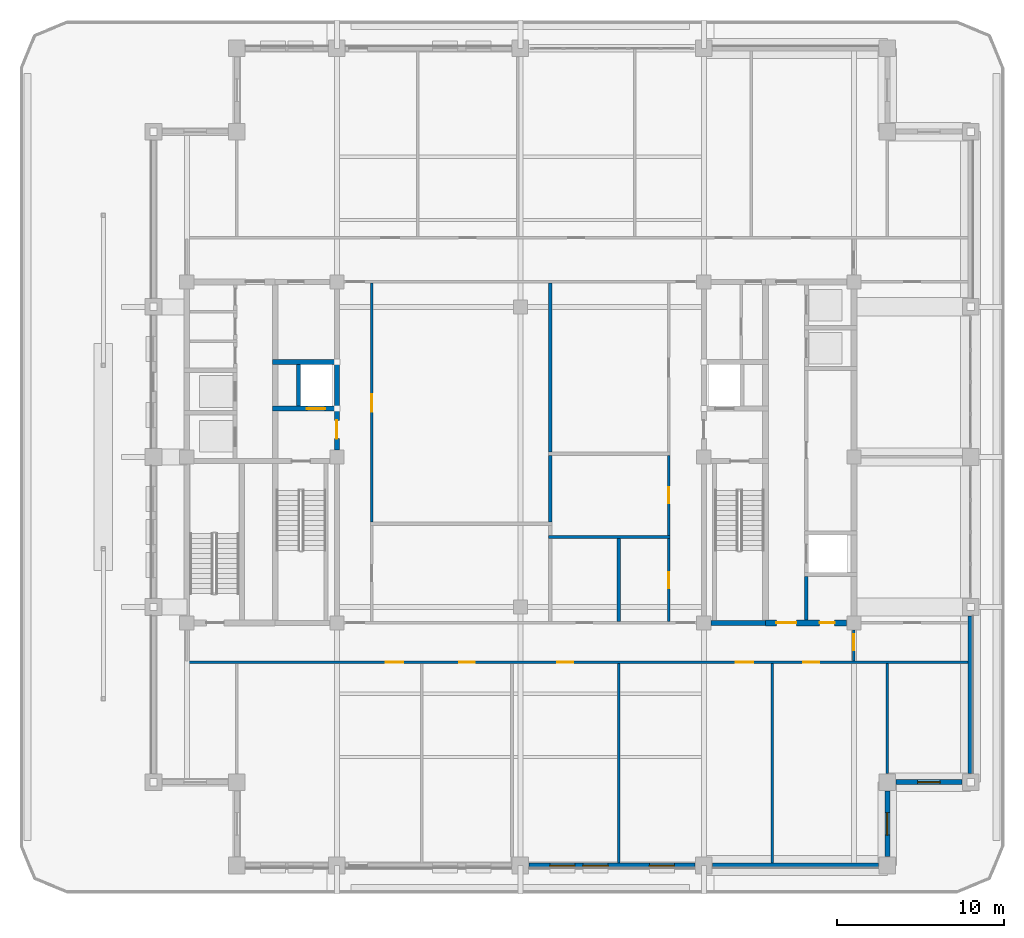
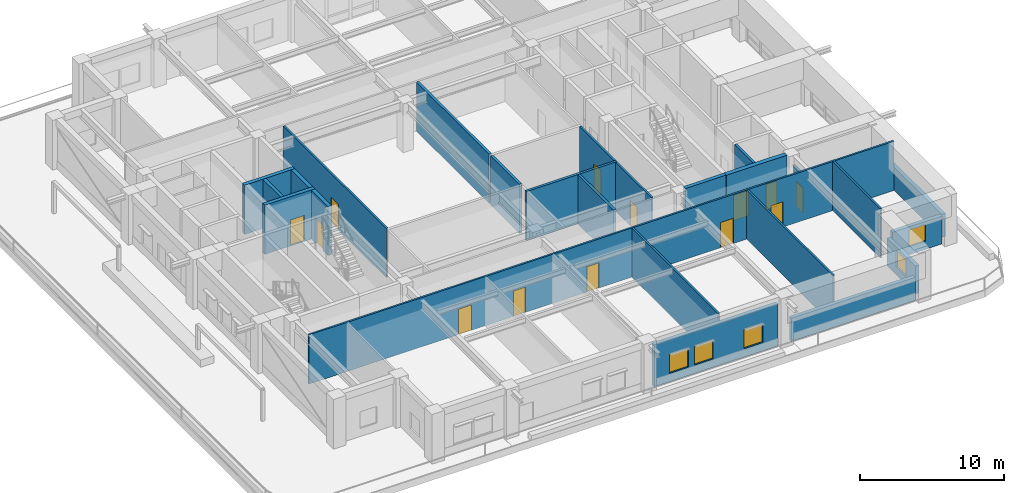
# One storey, part 9 of 20: 25 walls, 13 doors, 5 windows, 18 openings.
"""IFC4 building model written with IfcOpenShell, lengths in metres."""

from ifc_helpers import new_model, si_unit, direction, frame, frame_2d, origin, place, context, subcontext, project, spatial, rectangle, extrude, material, layer, layer_set, type_object, element, fill, save


model = new_model("IFC4")

# Units and contexts
model_context = context("Model", 3, precision=1e-05, world=origin(), true_north=direction((0.0, 1.0)))
body_context = subcontext(model_context, "Body", "Model", "MODEL_VIEW")
ifc_project = project(units=[si_unit("LENGTHUNIT", "METRE"), si_unit("AREAUNIT", "SQUARE_METRE"), si_unit("VOLUMEUNIT", "CUBIC_METRE"), si_unit("PLANEANGLEUNIT", "RADIAN"), si_unit("MASSUNIT", "GRAM", prefix="KILO")], contexts=[model_context])

# Site, building, storey
site_placement = place(None, origin())
site = spatial("IfcSite", under=ifc_project, at=site_placement, CompositionType="ELEMENT")
building_placement = place(site_placement, origin())
building = spatial("IfcBuilding", under=site, at=building_placement, Name="Zulmaris Gate Convention Tower", CompositionType="ELEMENT")
storey_placement = place(building_placement, frame((0.0, 0.0, 158.23974609375)))
storey = spatial("IfcBuildingStorey", under=building, at=storey_placement, Name="L40", CompositionType="ELEMENT", Elevation=158.23974609375)

# Walls
ifc_material_1 = material(Name="Concrete C50/60", Category="concrete")
ifc_layer_1 = layer(ifc_material_1, 0.25, Name="Concrete C50/60")
ifc_layer_set_1 = layer_set([ifc_layer_1], Name="Concrete C50/60")
wall_type_1 = type_object("IfcWallType", Name="CORE-250", PredefinedType="SOLIDWALL", material=ifc_layer_set_1)
wall_1_placement = place(storey_placement, frame((-13.300048828125, 3.052001953125, 0.0), z_axis=(0.0, 0.0, 1.0), x_axis=(0.0, 1.0, 0.0)))
element("IfcWall", 1, at=wall_1_placement, inside=storey, type_object=wall_type_1, Name="WL-L40-044", PredefinedType="SOLIDWALL", context=body_context, shape_type="SweptSolid", body=[
    extrude(rectangle(XDim=2.49609375, YDim=0.25, at=frame_2d((1.248046875, 0.0))), origin(), (0.0, 0.0, 1.0), 4.170166015625),
])
ifc_layer_2 = layer(ifc_material_1, 0.300048828125, Name="Concrete C50/60")
ifc_layer_set_2 = layer_set([ifc_layer_2], Name="Concrete C50/60")
wall_type_2 = type_object("IfcWallType", Name="CORE-300", PredefinedType="SHEAR", material=ifc_layer_set_2)
wall_2_placement = place(storey_placement, frame((11.428955078125, -9.949951171875, 0.0), z_axis=(0.0, 0.0, 1.0), x_axis=(1.0, 0.0, 0.0)))
element("IfcWall", 2, at=wall_2_placement, inside=storey, type_object=wall_type_2, Name="WL-L40-003", PredefinedType="SHEAR", context=body_context, shape_type="SweptSolid", body=[
    extrude(rectangle(XDim=3.27099609375, YDim=0.300048828125, at=frame_2d((1.635498046875, 0.0))), origin(), (0.0, 0.0, 1.0), 4.170166015625),
])

# Wall, opening, door
wall_3_placement = place(storey_placement, frame((-14.875, 2.89990234375, 0.0), z_axis=(0.0, 0.0, 1.0), x_axis=(1.0, 0.0, 0.0)))
wall_3 = element("IfcWall", 3, at=wall_3_placement, inside=storey, type_object=wall_type_2, Name="WL-L40-010", PredefinedType="SHEAR", context=body_context, shape_type="SweptSolid", body=[
    extrude(rectangle(XDim=4.02490234375, YDim=0.300048828125, at=frame_2d((2.012451171875, 0.0))), origin(), (0.0, 0.0, 1.0), 4.170166015625),
])
opening_1_placement = place(wall_3_placement, frame((2.074951171875, 0.0, 0.0)))
opening_1 = element("IfcOpeningElement", 4, at=opening_1_placement, cuts=wall_3, Name="Opening D-06", PredefinedType="OPENING", context=body_context, shape_type="SweptSolid", body=[
    extrude(rectangle(XDim=1.10009765625, YDim=2.199951171875, at=frame_2d((0.550048828125, 1.10009765625))), frame((0.0, 0.16015625, 0.0), z_axis=(0.0, -1.0, 0.0), x_axis=(1.0, 0.0, 0.0)), (0.0, 0.0, 1.0), 0.320068359375),
])
ifc_material_2 = material(Name="Brushed Stainless Steel", Category="steel")
door_type_1 = type_object("IfcDoorType", Name="LD-1100", OperationType="NOTDEFINED", PredefinedType="DOOR", material=ifc_material_2)
door_1_placement = place(opening_1_placement, origin())
door_1 = element("IfcDoor", 5, at=door_1_placement, inside=storey, type_object=door_type_1, Name="L40 Lift Landing Door LF-01 03", OperationType="SLIDING_TO_LEFT", OverallHeight=2.199951171875, OverallWidth=1.10009765625, PredefinedType="DOOR", context=body_context, shape_type="SweptSolid", body=[
    extrude(rectangle(XDim=1.10009765625, YDim=2.199951171875, at=frame_2d((0.550048828125, 1.10009765625))), frame((0.0, 0.02490234375, 0.0), z_axis=(0.0, -1.0, 0.0), x_axis=(1.0, 0.0, 0.0)), (0.0, 0.0, 1.0), 0.050048828125),
])
fill(opening_1, door_1)

# Wall
wall_4_placement = place(storey_placement, frame((-14.875, 5.699951171875, 0.0), z_axis=(0.0, 0.0, 1.0), x_axis=(1.0, 0.0, 0.0)))
element("IfcWall", 6, at=wall_4_placement, inside=storey, type_object=wall_type_2, Name="WL-L40-014", PredefinedType="SHEAR", context=body_context, shape_type="SweptSolid", body=[
    extrude(rectangle(XDim=4.02490234375, YDim=0.300048828125, at=frame_2d((2.012451171875, 0.0))), origin(), (0.0, 0.0, 1.0), 4.170166015625),
])

# Wall, opening, door
wall_5_placement = place(storey_placement, frame((-11.0, 0.428955078125, 0.0), z_axis=(0.0, 0.0, 1.0), x_axis=(0.0, 1.0, 0.0)))
wall_5 = element("IfcWall", 7, at=wall_5_placement, inside=storey, type_object=wall_type_2, Name="WL-L40-047", PredefinedType="SHEAR", context=body_context, shape_type="SweptSolid", body=[
    extrude(rectangle(XDim=2.319091796875, YDim=0.300048828125, at=frame_2d((1.15966796875, 0.0))), origin(), (0.0, 0.0, 1.0), 4.170166015625),
])
opening_2_placement = place(wall_5_placement, frame((0.6708984375, 0.0, 0.0)))
opening_2 = element("IfcOpeningElement", 8, at=opening_2_placement, cuts=wall_5, Name="Opening D-08", PredefinedType="OPENING", context=body_context, shape_type="SweptSolid", body=[
    extrude(rectangle(XDim=1.10009765625, YDim=2.14990234375, at=frame_2d((0.550048828125, 1.074951171875))), frame((0.0, 0.16015625, 0.0), z_axis=(0.0, -1.0, 0.0), x_axis=(1.0, 0.0, 0.0)), (0.0, 0.0, 1.0), 0.320068359375),
])
ifc_material_3 = material(Name="Fire-Rated Steel", Category="steel")
door_type_2 = type_object("IfcDoorType", Name="DR-1100-FD", OperationType="NOTDEFINED", PredefinedType="DOOR", material=ifc_material_3)
door_2_placement = place(opening_2_placement, origin())
door_2 = element("IfcDoor", 9, at=door_2_placement, inside=storey, type_object=door_type_2, Name="L40 West Firefighting Lobby Door 02", OperationType="SINGLE_SWING_LEFT", OverallHeight=2.14990234375, OverallWidth=1.10009765625, PredefinedType="DOOR", context=body_context, shape_type="SweptSolid", body=[
    extrude(rectangle(XDim=1.10009765625, YDim=2.14990234375, at=frame_2d((0.550048828125, 1.074951171875))), frame((0.0, 0.02490234375, 0.0), z_axis=(0.0, -1.0, 0.0), x_axis=(1.0, 0.0, 0.0)), (0.0, 0.0, 1.0), 0.050048828125),
])
fill(opening_2, door_2)

# Wall
wall_6_placement = place(storey_placement, frame((-11.0, 3.052001953125, 0.0), z_axis=(0.0, 0.0, 1.0), x_axis=(0.0, 1.0, 0.0)))
element("IfcWall", 10, at=wall_6_placement, inside=storey, type_object=wall_type_2, Name="WL-L40-048", PredefinedType="SHEAR", context=body_context, shape_type="SweptSolid", body=[
    extrude(rectangle(XDim=2.49609375, YDim=0.300048828125, at=frame_2d((1.248046875, 0.0))), origin(), (0.0, 0.0, 1.0), 4.170166015625),
])

# Wall, openings, doors
ifc_material_4 = material(Name="Concrete C55/67", Category="concrete")
ifc_layer_3 = layer(ifc_material_4, 0.35009765625, Name="Concrete C55/67")
ifc_layer_set_3 = layer_set([ifc_layer_3], Name="Concrete C55/67")
wall_type_3 = type_object("IfcWallType", Name="CORE-350", PredefinedType="SHEAR", material=ifc_layer_set_3)
wall_7_placement = place(storey_placement, frame((14.699951171875, -9.949951171875, 0.0), z_axis=(0.0, 0.0, 1.0), x_axis=(1.0, 0.0, 0.0)))
wall_7 = element("IfcWall", 11, at=wall_7_placement, inside=storey, type_object=wall_type_3, Name="WL-L40-004", PredefinedType="SHEAR", context=body_context, shape_type="SweptSolid", body=[
    extrude(rectangle(XDim=4.87109375, YDim=0.35009765625, at=frame_2d((2.435546875, 0.0))), origin(), (0.0, 0.0, 1.0), 4.170166015625),
])
opening_3_placement = place(wall_7_placement, frame((0.64990234375, 0.0, 0.0)))
opening_3 = element("IfcOpeningElement", 12, at=opening_3_placement, cuts=wall_7, Name="Opening D-13", PredefinedType="OPENING", context=body_context, shape_type="SweptSolid", body=[
    extrude(rectangle(XDim=1.199951171875, YDim=2.14990234375, at=frame_2d((0.60009765625, 1.074951171875))), frame((0.0, 0.18505859375, 0.0), z_axis=(0.0, -1.0, 0.0), x_axis=(1.0, 0.0, 0.0)), (0.0, 0.0, 1.0), 0.3701171875),
])
opening_4_placement = place(wall_7_placement, frame((3.25, 0.0, 0.0)))
opening_4 = element("IfcOpeningElement", 13, at=opening_4_placement, cuts=wall_7, Name="Opening D-12", PredefinedType="OPENING", context=body_context, shape_type="SweptSolid", body=[
    extrude(rectangle(XDim=0.89990234375, YDim=2.14990234375, at=frame_2d((0.449951171875, 1.074951171875))), frame((0.0, 0.18505859375, 0.0), z_axis=(0.0, -1.0, 0.0), x_axis=(1.0, 0.0, 0.0)), (0.0, 0.0, 1.0), 0.3701171875),
])
door_type_3 = type_object("IfcDoorType", Name="DR-1200-FD", OperationType="NOTDEFINED", PredefinedType="DOOR", material=ifc_material_3)
door_3_placement = place(opening_3_placement, origin())
door_3 = element("IfcDoor", 14, at=door_3_placement, inside=storey, type_object=door_type_3, Name="L40 Sky-Lobby East South Door 20", OperationType="SINGLE_SWING_RIGHT", OverallHeight=2.14990234375, OverallWidth=1.199951171875, PredefinedType="DOOR", context=body_context, shape_type="SweptSolid", body=[
    extrude(rectangle(XDim=1.199951171875, YDim=2.14990234375, at=frame_2d((0.60009765625, 1.074951171875))), frame((0.0, 0.02490234375, 0.0), z_axis=(0.0, -1.0, 0.0), x_axis=(1.0, 0.0, 0.0)), (0.0, 0.0, 1.0), 0.050048828125),
])
fill(opening_3, door_3)
ifc_material_5 = material(Name="Fire-Rated Timber", Category="wood")
door_type_4 = type_object("IfcDoorType", Name="DR-900-FD", OperationType="NOTDEFINED", PredefinedType="DOOR", material=ifc_material_5)
door_4_placement = place(opening_4_placement, origin())
door_4 = element("IfcDoor", 15, at=door_4_placement, inside=storey, type_object=door_type_4, Name="L40 Chair Store Door 23", OperationType="SINGLE_SWING_LEFT", OverallHeight=2.14990234375, OverallWidth=0.89990234375, PredefinedType="DOOR", context=body_context, shape_type="SweptSolid", body=[
    extrude(rectangle(XDim=0.89990234375, YDim=2.14990234375, at=frame_2d((0.449951171875, 1.074951171875))), frame((0.0, 0.02490234375, 0.0), z_axis=(0.0, -1.0, 0.0), x_axis=(1.0, 0.0, 0.0)), (0.0, 0.0, 1.0), 0.050048828125),
])
fill(opening_4, door_4)

ifc_material_6 = material(Name="Gypsum Metal Stud Partition")
ifc_layer_4 = layer(ifc_material_6, 0.14990234375, Name="Gypsum Metal Stud Partition")
ifc_layer_set_4 = layer_set([ifc_layer_4], Name="Gypsum Metal Stud Partition")
wall_type_4 = type_object("IfcWallType", Name="PART-150", PredefinedType="PARTITIONING", material=ifc_layer_set_4)
wall_8_placement = place(storey_placement, frame((-20.074951171875, -12.300048828125, 0.0), z_axis=(0.0, 0.0, 1.0), x_axis=(1.0, 0.0, 0.0)))
wall_8 = element("IfcWall", 16, at=wall_8_placement, inside=storey, type_object=wall_type_4, Name="WL-L40-021", PredefinedType="PARTITIONING", context=body_context, shape_type="SweptSolid", body=[
    extrude(rectangle(XDim=46.909912109375, YDim=0.14990234375, at=frame_2d((23.455078125, 0.0))), origin(), (0.0, 0.0, 1.0), 4.170166015625),
])
opening_5_placement = place(wall_8_placement, frame((12.0, 0.0, 0.0)))
opening_5 = element("IfcOpeningElement", 17, at=opening_5_placement, cuts=wall_8, Name="Opening D-09", PredefinedType="OPENING", context=body_context, shape_type="SweptSolid", body=[
    extrude(rectangle(XDim=1.050048828125, YDim=2.14990234375, at=frame_2d((0.52490234375, 1.074951171875))), frame((0.0, 0.0849609375, 0.0), z_axis=(0.0, -1.0, 0.0), x_axis=(1.0, 0.0, 0.0)), (0.0, 0.0, 1.0), 0.169921875),
])
opening_6_placement = place(wall_8_placement, frame((16.39990234375, 0.0, 0.0)))
opening_6 = element("IfcOpeningElement", 18, at=opening_6_placement, cuts=wall_8, Name="Opening D-11", PredefinedType="OPENING", context=body_context, shape_type="SweptSolid", body=[
    extrude(rectangle(XDim=0.949951171875, YDim=2.14990234375, at=frame_2d((0.47509765625, 1.074951171875))), frame((0.0, 0.0849609375, 0.0), z_axis=(0.0, -1.0, 0.0), x_axis=(1.0, 0.0, 0.0)), (0.0, 0.0, 1.0), 0.169921875),
])
opening_7_placement = place(wall_8_placement, frame((22.300048828125, 0.0, 0.0)))
opening_7 = element("IfcOpeningElement", 19, at=opening_7_placement, cuts=wall_8, Name="Opening D-11", PredefinedType="OPENING", context=body_context, shape_type="SweptSolid", body=[
    extrude(rectangle(XDim=0.949951171875, YDim=2.14990234375, at=frame_2d((0.47509765625, 1.074951171875))), frame((0.0, 0.0849609375, 0.0), z_axis=(0.0, -1.0, 0.0), x_axis=(1.0, 0.0, 0.0)), (0.0, 0.0, 1.0), 0.169921875),
])
opening_8_placement = place(wall_8_placement, frame((33.0, 0.0, 0.0)))
opening_8 = element("IfcOpeningElement", 20, at=opening_8_placement, cuts=wall_8, Name="Opening D-09", PredefinedType="OPENING", context=body_context, shape_type="SweptSolid", body=[
    extrude(rectangle(XDim=1.050048828125, YDim=2.14990234375, at=frame_2d((0.52490234375, 1.074951171875))), frame((0.0, 0.0849609375, 0.0), z_axis=(0.0, -1.0, 0.0), x_axis=(1.0, 0.0, 0.0)), (0.0, 0.0, 1.0), 0.169921875),
])
opening_9_placement = place(wall_8_placement, frame((37.050048828125, 0.0, 0.0)))
opening_9 = element("IfcOpeningElement", 21, at=opening_9_placement, cuts=wall_8, Name="Opening D-11", PredefinedType="OPENING", context=body_context, shape_type="SweptSolid", body=[
    extrude(rectangle(XDim=0.949951171875, YDim=2.14990234375, at=frame_2d((0.47509765625, 1.074951171875))), frame((0.0, 0.0849609375, 0.0), z_axis=(0.0, -1.0, 0.0), x_axis=(1.0, 0.0, 0.0)), (0.0, 0.0, 1.0), 0.169921875),
])
door_type_5 = type_object("IfcDoorType", Name="DR-1050-FD", OperationType="NOTDEFINED", PredefinedType="DOOR", material=ifc_material_3)
door_5_placement = place(opening_5_placement, origin())
door_5 = element("IfcDoor", 22, at=door_5_placement, inside=storey, type_object=door_type_5, Name="L40 Research Reading Room Door 33", OperationType="SINGLE_SWING_LEFT", OverallHeight=2.14990234375, OverallWidth=1.050048828125, PredefinedType="DOOR", context=body_context, shape_type="SweptSolid", body=[
    extrude(rectangle(XDim=1.050048828125, YDim=2.14990234375, at=frame_2d((0.52490234375, 1.074951171875))), frame((0.0, 0.02490234375, 0.0), z_axis=(0.0, -1.0, 0.0), x_axis=(1.0, 0.0, 0.0)), (0.0, 0.0, 1.0), 0.050048828125),
])
fill(opening_5, door_5)
door_6_placement = place(opening_8_placement, origin())
door_6 = element("IfcDoor", 23, at=door_6_placement, inside=storey, type_object=door_type_5, Name="L40 Editorial Focus Suite Door 36", OperationType="SINGLE_SWING_RIGHT", OverallHeight=2.14990234375, OverallWidth=1.050048828125, PredefinedType="DOOR", context=body_context, shape_type="SweptSolid", body=[
    extrude(rectangle(XDim=1.050048828125, YDim=2.14990234375, at=frame_2d((0.52490234375, 1.074951171875))), frame((0.0, 0.02490234375, 0.0), z_axis=(0.0, -1.0, 0.0), x_axis=(1.0, 0.0, 0.0)), (0.0, 0.0, 1.0), 0.050048828125),
])
fill(opening_8, door_6)
door_type_6 = type_object("IfcDoorType", Name="DR-950-FD", OperationType="NOTDEFINED", PredefinedType="DOOR", material=ifc_material_5)
door_7_placement = place(opening_6_placement, origin())
door_7 = element("IfcDoor", 24, at=door_7_placement, inside=storey, type_object=door_type_6, Name="L40 Quiet Focus Study Door 34", OperationType="SINGLE_SWING_RIGHT", OverallHeight=2.14990234375, OverallWidth=0.949951171875, PredefinedType="DOOR", context=body_context, shape_type="SweptSolid", body=[
    extrude(rectangle(XDim=0.949951171875, YDim=2.14990234375, at=frame_2d((0.47509765625, 1.074951171875))), frame((0.0, 0.02490234375, 0.0), z_axis=(0.0, -1.0, 0.0), x_axis=(1.0, 0.0, 0.0)), (0.0, 0.0, 1.0), 0.050048828125),
])
fill(opening_6, door_7)
door_8_placement = place(opening_7_placement, origin())
door_8 = element("IfcDoor", 25, at=door_8_placement, inside=storey, type_object=door_type_6, Name="L40 Legal Library Room Door 35", OperationType="SINGLE_SWING_LEFT", OverallHeight=2.14990234375, OverallWidth=0.949951171875, PredefinedType="DOOR", context=body_context, shape_type="SweptSolid", body=[
    extrude(rectangle(XDim=0.949951171875, YDim=2.14990234375, at=frame_2d((0.47509765625, 1.074951171875))), frame((0.0, 0.02490234375, 0.0), z_axis=(0.0, -1.0, 0.0), x_axis=(1.0, 0.0, 0.0)), (0.0, 0.0, 1.0), 0.050048828125),
])
fill(opening_7, door_8)
door_9_placement = place(opening_9_placement, origin())
door_9 = element("IfcDoor", 26, at=door_9_placement, inside=storey, type_object=door_type_6, Name="L40 Research Reading Room Door 37", OperationType="SINGLE_SWING_LEFT", OverallHeight=2.14990234375, OverallWidth=0.949951171875, PredefinedType="DOOR", context=body_context, shape_type="SweptSolid", body=[
    extrude(rectangle(XDim=0.949951171875, YDim=2.14990234375, at=frame_2d((0.47509765625, 1.074951171875))), frame((0.0, 0.02490234375, 0.0), z_axis=(0.0, -1.0, 0.0), x_axis=(1.0, 0.0, 0.0)), (0.0, 0.0, 1.0), 0.050048828125),
])
fill(opening_9, door_9)

# Wall, opening, door
wall_9_placement = place(storey_placement, frame((-8.89990234375, -3.89697265625, 0.0), z_axis=(0.0, 0.0, 1.0), x_axis=(0.0, 1.0, 0.0)))
wall_9 = element("IfcWall", 27, at=wall_9_placement, inside=storey, type_object=wall_type_4, Name="WL-L40-076", PredefinedType="PARTITIONING", context=body_context, shape_type="SweptSolid", body=[
    extrude(rectangle(XDim=14.319091796875, YDim=0.14990234375, at=frame_2d((7.15966796875, 0.0))), origin(), (0.0, 0.0, 1.0), 4.170166015625),
])
opening_10_placement = place(wall_9_placement, frame((6.6220703125, 0.0, 0.0)))
opening_10 = element("IfcOpeningElement", 28, at=opening_10_placement, cuts=wall_9, Name="Opening D-09", PredefinedType="OPENING", context=body_context, shape_type="SweptSolid", body=[
    extrude(rectangle(XDim=1.050048828125, YDim=2.14990234375, at=frame_2d((0.52490234375, 1.074951171875))), frame((0.0, 0.0849609375, 0.0), z_axis=(0.0, -1.0, 0.0), x_axis=(1.0, 0.0, 0.0)), (0.0, 0.0, 1.0), 0.169921875),
])
door_10_placement = place(opening_10_placement, origin())
door_10 = element("IfcDoor", 29, at=door_10_placement, inside=storey, type_object=door_type_5, Name="L40 Boardroom Door 38", OperationType="SINGLE_SWING_RIGHT", OverallHeight=2.14990234375, OverallWidth=1.050048828125, PredefinedType="DOOR", context=body_context, shape_type="SweptSolid", body=[
    extrude(rectangle(XDim=1.050048828125, YDim=2.14990234375, at=frame_2d((0.52490234375, 1.074951171875))), frame((0.0, 0.02490234375, 0.0), z_axis=(0.0, -1.0, 0.0), x_axis=(1.0, 0.0, 0.0)), (0.0, 0.0, 1.0), 0.050048828125),
])
fill(opening_10, door_10)

# Wall
wall_10_placement = place(storey_placement, frame((5.89990234375, -24.3349609375, 0.0), z_axis=(0.0, 0.0, 1.0), x_axis=(0.0, 1.0, 0.0)))
element("IfcWall", 30, at=wall_10_placement, inside=storey, type_object=wall_type_4, Name="WL-L40-085", PredefinedType="PARTITIONING", context=body_context, shape_type="SweptSolid", body=[
    extrude(rectangle(XDim=11.95703125, YDim=0.14990234375, at=frame_2d((5.978515625, 0.0))), origin(), (0.0, 0.0, 1.0), 4.170166015625),
])

# Wall, opening, door
wall_11_placement = place(storey_placement, frame((8.89990234375, -9.8720703125, 0.0), z_axis=(0.0, 0.0, 1.0), x_axis=(0.0, 1.0, 0.0)))
wall_11 = element("IfcWall", 31, at=wall_11_placement, inside=storey, type_object=wall_type_4, Name="WL-L40-088", PredefinedType="PARTITIONING", context=body_context, shape_type="SweptSolid", body=[
    extrude(rectangle(XDim=4.968994140625, YDim=0.14990234375, at=frame_2d((2.484375, 0.0))), origin(), (0.0, 0.0, 1.0), 4.170166015625),
])
opening_11_placement = place(wall_11_placement, frame((1.9970703125, 0.0, 0.0)))
opening_11 = element("IfcOpeningElement", 32, at=opening_11_placement, cuts=wall_11, Name="Opening D-11", PredefinedType="OPENING", context=body_context, shape_type="SweptSolid", body=[
    extrude(rectangle(XDim=0.949951171875, YDim=2.14990234375, at=frame_2d((0.47509765625, 1.074951171875))), frame((0.0, 0.0849609375, 0.0), z_axis=(0.0, -1.0, 0.0), x_axis=(1.0, 0.0, 0.0)), (0.0, 0.0, 1.0), 0.169921875),
])
door_11_placement = place(opening_11_placement, origin())
door_11 = element("IfcDoor", 33, at=door_11_placement, inside=storey, type_object=door_type_6, Name="L40 Accessible WC Door 42", OperationType="SINGLE_SWING_RIGHT", OverallHeight=2.14990234375, OverallWidth=0.949951171875, PredefinedType="DOOR", context=body_context, shape_type="SweptSolid", body=[
    extrude(rectangle(XDim=0.949951171875, YDim=2.14990234375, at=frame_2d((0.47509765625, 1.074951171875))), frame((0.0, 0.02490234375, 0.0), z_axis=(0.0, -1.0, 0.0), x_axis=(1.0, 0.0, 0.0)), (0.0, 0.0, 1.0), 0.050048828125),
])
fill(opening_11, door_11)

wall_12_placement = place(storey_placement, frame((8.89990234375, -4.697021484375, 0.0), z_axis=(0.0, 0.0, 1.0), x_axis=(0.0, 1.0, 0.0)))
wall_12 = element("IfcWall", 34, at=wall_12_placement, inside=storey, type_object=wall_type_4, Name="WL-L40-089", PredefinedType="PARTITIONING", context=body_context, shape_type="SweptSolid", body=[
    extrude(rectangle(XDim=4.7939453125, YDim=0.14990234375, at=frame_2d((2.39697265625, 0.0))), origin(), (0.0, 0.0, 1.0), 4.170166015625),
])
opening_12_placement = place(wall_12_placement, frame((1.922119140625, 0.0, 0.0)))
opening_12 = element("IfcOpeningElement", 35, at=opening_12_placement, cuts=wall_12, Name="Opening D-11", PredefinedType="OPENING", context=body_context, shape_type="SweptSolid", body=[
    extrude(rectangle(XDim=0.949951171875, YDim=2.14990234375, at=frame_2d((0.47509765625, 1.074951171875))), frame((0.0, 0.0849609375, 0.0), z_axis=(0.0, -1.0, 0.0), x_axis=(1.0, 0.0, 0.0)), (0.0, 0.0, 1.0), 0.169921875),
])
door_12_placement = place(opening_12_placement, origin())
door_12 = element("IfcDoor", 36, at=door_12_placement, inside=storey, type_object=door_type_6, Name="L40 Public WC Door 41", OperationType="SINGLE_SWING_LEFT", OverallHeight=2.14990234375, OverallWidth=0.949951171875, PredefinedType="DOOR", context=body_context, shape_type="SweptSolid", body=[
    extrude(rectangle(XDim=0.949951171875, YDim=2.14990234375, at=frame_2d((0.47509765625, 1.074951171875))), frame((0.0, 0.02490234375, 0.0), z_axis=(0.0, -1.0, 0.0), x_axis=(1.0, 0.0, 0.0)), (0.0, 0.0, 1.0), 0.050048828125),
])
fill(opening_12, door_12)

# Wall
wall_13_placement = place(storey_placement, frame((15.10009765625, -24.3349609375, 0.0), z_axis=(0.0, 0.0, 1.0), x_axis=(0.0, 1.0, 0.0)))
element("IfcWall", 37, at=wall_13_placement, inside=storey, type_object=wall_type_4, Name="WL-L40-093", PredefinedType="PARTITIONING", context=body_context, shape_type="SweptSolid", body=[
    extrude(rectangle(XDim=11.95703125, YDim=0.14990234375, at=frame_2d((5.978515625, 0.0))), origin(), (0.0, 0.0, 1.0), 4.170166015625),
])

# Wall, opening, door
wall_14_placement = place(storey_placement, frame((20.0, -12.221923828125, 0.0), z_axis=(0.0, 0.0, 1.0), x_axis=(0.0, 1.0, 0.0)))
wall_14 = element("IfcWall", 38, at=wall_14_placement, inside=storey, type_object=wall_type_4, Name="WL-L40-096", PredefinedType="PARTITIONING", context=body_context, shape_type="SweptSolid", body=[
    extrude(rectangle(XDim=1.8408203125, YDim=0.14990234375, at=frame_2d((0.92041015625, 0.0))), origin(), (0.0, 0.0, 1.0), 3.360107421875),
])
opening_13_placement = place(wall_14_placement, frame((0.626953125, 0.0, 0.0)))
opening_13 = element("IfcOpeningElement", 39, at=opening_13_placement, cuts=wall_14, Name="Opening D-11", PredefinedType="OPENING", context=body_context, shape_type="SweptSolid", body=[
    extrude(rectangle(XDim=0.949951171875, YDim=2.14990234375, at=frame_2d((0.47509765625, 1.074951171875))), frame((0.0, 0.0849609375, 0.0), z_axis=(0.0, -1.0, 0.0), x_axis=(1.0, 0.0, 0.0)), (0.0, 0.0, 1.0), 0.169921875),
])
door_13_placement = place(opening_13_placement, origin())
door_13 = element("IfcDoor", 40, at=door_13_placement, inside=storey, type_object=door_type_6, Name="L40 SE Spur Door 45", OperationType="SINGLE_SWING_LEFT", OverallHeight=2.14990234375, OverallWidth=0.949951171875, PredefinedType="DOOR", context=body_context, shape_type="SweptSolid", body=[
    extrude(rectangle(XDim=0.949951171875, YDim=2.14990234375, at=frame_2d((0.47509765625, 1.074951171875))), frame((0.0, 0.02490234375, 0.0), z_axis=(0.0, -1.0, 0.0), x_axis=(1.0, 0.0, 0.0)), (0.0, 0.0, 1.0), 0.050048828125),
])
fill(opening_13, door_13)

# Walls
wall_15_placement = place(storey_placement, frame((22.0, -18.993896484375, 0.0), z_axis=(0.0, 0.0, 1.0), x_axis=(0.0, 1.0, 0.0)))
element("IfcWall", 41, at=wall_15_placement, inside=storey, type_object=wall_type_4, Name="WL-L40-098", PredefinedType="PARTITIONING", context=body_context, shape_type="SweptSolid", body=[
    extrude(rectangle(XDim=6.615966796875, YDim=0.14990234375, at=frame_2d((3.30810546875, 0.0))), origin(), (0.0, 0.0, 1.0), 4.170166015625),
])
ifc_material_7 = material(Name="Autoclaved Aerated Concrete Block and Plasterboard", Category="concrete")
ifc_layer_5 = layer(ifc_material_7, 0.199951171875, Name="Autoclaved Aerated Concrete Block and Plasterboard")
ifc_layer_set_5 = layer_set([ifc_layer_5], Name="Autoclaved Aerated Concrete Block and Plasterboard")
wall_type_5 = type_object("IfcWallType", Name="PART-200", PredefinedType="PARTITIONING", material=ifc_layer_set_5)
wall_16_placement = place(storey_placement, frame((1.699951171875, -4.800048828125, 0.0), z_axis=(0.0, 0.0, 1.0), x_axis=(1.0, 0.0, 0.0)))
element("IfcWall", 42, at=wall_16_placement, inside=storey, type_object=wall_type_5, Name="WL-L40-024", PredefinedType="PARTITIONING", context=body_context, shape_type="SweptSolid", body=[
    extrude(rectangle(XDim=7.275146484375, YDim=0.199951171875, at=frame_2d((3.6376953125, 0.0))), origin(), (0.0, 0.0, 1.0), 4.170166015625),
])
wall_17_placement = place(storey_placement, frame((1.800048828125, -3.89697265625, 0.0), z_axis=(0.0, 0.0, 1.0), x_axis=(0.0, 1.0, 0.0)))
element("IfcWall", 43, at=wall_17_placement, inside=storey, type_object=wall_type_5, Name="WL-L40-083", PredefinedType="PARTITIONING", context=body_context, shape_type="SweptSolid", body=[
    extrude(rectangle(XDim=3.993896484375, YDim=0.199951171875, at=frame_2d((1.9970703125, 0.0))), origin(), (0.0, 0.0, 1.0), 4.170166015625),
])
wall_18_placement = place(storey_placement, frame((1.800048828125, 0.302978515625, 0.0), z_axis=(0.0, 0.0, 1.0), x_axis=(0.0, 1.0, 0.0)))
element("IfcWall", 44, at=wall_18_placement, inside=storey, type_object=wall_type_5, Name="WL-L40-084", PredefinedType="PARTITIONING", context=body_context, shape_type="SweptSolid", body=[
    extrude(rectangle(XDim=10.119140625, YDim=0.199951171875, at=frame_2d((5.0595703125, 0.0))), origin(), (0.0, 0.0, 1.0), 4.170166015625),
])
wall_19_placement = place(storey_placement, frame((5.89990234375, -9.8720703125, 0.0), z_axis=(0.0, 0.0, 1.0), x_axis=(0.0, 1.0, 0.0)))
element("IfcWall", 45, at=wall_19_placement, inside=storey, type_object=wall_type_5, Name="WL-L40-086", PredefinedType="PARTITIONING", context=body_context, shape_type="SweptSolid", body=[
    extrude(rectangle(XDim=4.968994140625, YDim=0.199951171875, at=frame_2d((2.484375, 0.0))), origin(), (0.0, 0.0, 1.0), 4.170166015625),
])
wall_20_placement = place(storey_placement, frame((17.14990234375, -9.77197265625, 0.0), z_axis=(0.0, 0.0, 1.0), x_axis=(0.0, 1.0, 0.0)))
element("IfcWall", 46, at=wall_20_placement, inside=storey, type_object=wall_type_5, Name="WL-L40-094", PredefinedType="PARTITIONING", context=body_context, shape_type="SweptSolid", body=[
    extrude(rectangle(XDim=2.593994140625, YDim=0.199951171875, at=frame_2d((1.296875, 0.0))), origin(), (0.0, 0.0, 1.0), 4.170166015625),
])

# Wall, opening, window
ifc_material_8 = material(Name="Precast concrete C40/50", Category="concrete")
ifc_layer_6 = layer(ifc_material_8, 0.300048828125, Name="Precast concrete C40/50")
ifc_layer_set_6 = layer_set([ifc_layer_6], Name="Precast concrete C40/50")
wall_type_6 = type_object("IfcWallType", Name="PRECAST-PIER-300", PredefinedType="STANDARD", material=ifc_layer_set_6)
wall_21_placement = place(storey_placement, frame((22.0, -23.969970703125, 0.0), z_axis=(0.0, 0.0, 1.0), x_axis=(0.0, 1.0, 0.0)))
wall_21 = element("IfcWall", 47, at=wall_21_placement, inside=storey, type_object=wall_type_6, Name="EW-L40-NOTCH-SE1_0", PredefinedType="STANDARD", context=body_context, shape_type="SweptSolid", body=[
    extrude(rectangle(XDim=3.93994140625, YDim=0.300048828125, at=frame_2d((1.969970703125, 0.0))), origin(), (0.0, 0.0, 1.0), 2.362060546875),
])
opening_14_placement = place(wall_21_placement, frame((1.294921875, 0.0, 0.679931640625)))
opening_14 = element("IfcOpeningElement", 48, at=opening_14_placement, cuts=wall_21, Name="Opening W-10", PredefinedType="OPENING", context=body_context, shape_type="SweptSolid", body=[
    extrude(rectangle(XDim=1.35009765625, YDim=1.419921875, at=frame_2d((0.675048828125, 0.7099609375))), frame((0.0, 0.16015625, 0.0), z_axis=(0.0, -1.0, 0.0), x_axis=(1.0, 0.0, 0.0)), (0.0, 0.0, 1.0), 0.320068359375),
])
ifc_material_9 = material(Name="Low-E Laminated Double Glazing in Aluminium Frame", Category="aluminium")
window_type_1 = type_object("IfcWindowType", Name="WIN-1350x2000", PartitioningType="SINGLE_PANEL", PredefinedType="WINDOW", material=ifc_material_9)
window_1_placement = place(opening_14_placement, origin())
window_1 = element("IfcWindow", 49, at=window_1_placement, inside=storey, type_object=window_type_1, Name="WN-EW-L40-NOTCH-SE1_0", OverallHeight=1.419921875, OverallWidth=1.35009765625, PartitioningType="SINGLE_PANEL", PredefinedType="WINDOW", context=body_context, shape_type="SweptSolid", body=[
    extrude(rectangle(XDim=1.35009765625, YDim=1.419921875, at=frame_2d((0.675048828125, 0.7099609375))), frame((0.0, 0.030029296875, 0.0), z_axis=(0.0, -1.0, 0.0), x_axis=(1.0, 0.0, 0.0)), (0.0, 0.0, 1.0), 0.06005859375),
])
fill(opening_14, window_1)

wall_22_placement = place(storey_placement, frame((22.530029296875, -19.5, 0.0), z_axis=(0.0, 0.0, 1.0), x_axis=(1.0, 0.0, 0.0)))
wall_22 = element("IfcWall", 50, at=wall_22_placement, inside=storey, type_object=wall_type_6, Name="EW-L40-NOTCH-SE2_0", PredefinedType="STANDARD", context=body_context, shape_type="SweptSolid", body=[
    extrude(rectangle(XDim=3.93994140625, YDim=0.300048828125, at=frame_2d((1.969970703125, 0.0))), origin(), (0.0, 0.0, 1.0), 2.362060546875),
])
opening_15_placement = place(wall_22_placement, frame((1.294921875, 0.0, 0.679931640625)))
opening_15 = element("IfcOpeningElement", 51, at=opening_15_placement, cuts=wall_22, Name="Opening W-10", PredefinedType="OPENING", context=body_context, shape_type="SweptSolid", body=[
    extrude(rectangle(XDim=1.35009765625, YDim=1.419921875, at=frame_2d((0.675048828125, 0.7099609375))), frame((0.0, 0.16015625, 0.0), z_axis=(0.0, -1.0, 0.0), x_axis=(1.0, 0.0, 0.0)), (0.0, 0.0, 1.0), 0.320068359375),
])
window_2_placement = place(opening_15_placement, origin())
window_2 = element("IfcWindow", 52, at=window_2_placement, inside=storey, type_object=window_type_1, Name="WN-EW-L40-NOTCH-SE2_0", OverallHeight=1.419921875, OverallWidth=1.35009765625, PartitioningType="SINGLE_PANEL", PredefinedType="WINDOW", context=body_context, shape_type="SweptSolid", body=[
    extrude(rectangle(XDim=1.35009765625, YDim=1.419921875, at=frame_2d((0.675048828125, 0.7099609375))), frame((0.0, 0.030029296875, 0.0), z_axis=(0.0, -1.0, 0.0), x_axis=(1.0, 0.0, 0.0)), (0.0, 0.0, 1.0), 0.06005859375),
])
fill(opening_15, window_2)

# Wall, openings, windows
wall_23_placement = place(storey_placement, frame((0.530029296875, -24.5, 0.0), z_axis=(0.0, 0.0, 1.0), x_axis=(1.0, 0.0, 0.0)))
wall_23 = element("IfcWall", 53, at=wall_23_placement, inside=storey, type_object=wall_type_6, Name="EW-L40-S-2_0", PredefinedType="STANDARD", context=body_context, shape_type="SweptSolid", body=[
    extrude(rectangle(XDim=9.93994140625, YDim=0.300048828125, at=frame_2d((4.969970703125, 0.0))), origin(), (0.0, 0.0, 1.0), 3.562255859375),
])
opening_16_placement = place(wall_23_placement, frame((1.238037109375, 0.0, 0.719970703125)))
opening_16 = element("IfcOpeningElement", 54, at=opening_16_placement, cuts=wall_23, Name="Opening W-03", PredefinedType="OPENING", context=body_context, shape_type="SweptSolid", body=[
    extrude(rectangle(XDim=1.5, YDim=1.60009765625, at=frame_2d((0.75, 0.800048828125))), frame((0.0, 0.16015625, 0.0), z_axis=(0.0, -1.0, 0.0), x_axis=(1.0, 0.0, 0.0)), (0.0, 0.0, 1.0), 0.320068359375),
])
opening_17_placement = place(wall_23_placement, frame((3.22607421875, 0.0, 0.719970703125)))
opening_17 = element("IfcOpeningElement", 55, at=opening_17_placement, cuts=wall_23, Name="Opening W-03", PredefinedType="OPENING", context=body_context, shape_type="SweptSolid", body=[
    extrude(rectangle(XDim=1.5, YDim=1.60009765625, at=frame_2d((0.75, 0.800048828125))), frame((0.0, 0.16015625, 0.0), z_axis=(0.0, -1.0, 0.0), x_axis=(1.0, 0.0, 0.0)), (0.0, 0.0, 1.0), 0.320068359375),
])
opening_18_placement = place(wall_23_placement, frame((7.201904296875, 0.0, 0.719970703125)))
opening_18 = element("IfcOpeningElement", 56, at=opening_18_placement, cuts=wall_23, Name="Opening W-03", PredefinedType="OPENING", context=body_context, shape_type="SweptSolid", body=[
    extrude(rectangle(XDim=1.5, YDim=1.60009765625, at=frame_2d((0.75, 0.800048828125))), frame((0.0, 0.16015625, 0.0), z_axis=(0.0, -1.0, 0.0), x_axis=(1.0, 0.0, 0.0)), (0.0, 0.0, 1.0), 0.320068359375),
])
window_type_2 = type_object("IfcWindowType", Name="WIN-1500x2100", PartitioningType="SINGLE_PANEL", PredefinedType="WINDOW", material=ifc_material_9)
window_3_placement = place(opening_16_placement, origin())
window_3 = element("IfcWindow", 57, at=window_3_placement, inside=storey, type_object=window_type_2, Name="WN-EW-L40-S-2_0-1", OverallHeight=1.60009765625, OverallWidth=1.5, PartitioningType="SINGLE_PANEL", PredefinedType="WINDOW", context=body_context, shape_type="SweptSolid", body=[
    extrude(rectangle(XDim=1.5, YDim=1.60009765625, at=frame_2d((0.75, 0.800048828125))), frame((0.0, 0.030029296875, 0.0), z_axis=(0.0, -1.0, 0.0), x_axis=(1.0, 0.0, 0.0)), (0.0, 0.0, 1.0), 0.06005859375),
])
fill(opening_16, window_3)
window_4_placement = place(opening_17_placement, origin())
window_4 = element("IfcWindow", 58, at=window_4_placement, inside=storey, type_object=window_type_2, Name="WN-EW-L40-S-2_0-2", OverallHeight=1.60009765625, OverallWidth=1.5, PartitioningType="SINGLE_PANEL", PredefinedType="WINDOW", context=body_context, shape_type="SweptSolid", body=[
    extrude(rectangle(XDim=1.5, YDim=1.60009765625, at=frame_2d((0.75, 0.800048828125))), frame((0.0, 0.030029296875, 0.0), z_axis=(0.0, -1.0, 0.0), x_axis=(1.0, 0.0, 0.0)), (0.0, 0.0, 1.0), 0.06005859375),
])
fill(opening_17, window_4)
window_5_placement = place(opening_18_placement, origin())
window_5 = element("IfcWindow", 59, at=window_5_placement, inside=storey, type_object=window_type_2, Name="WN-EW-L40-S-2_0-4", OverallHeight=1.60009765625, OverallWidth=1.5, PartitioningType="SINGLE_PANEL", PredefinedType="WINDOW", context=body_context, shape_type="SweptSolid", body=[
    extrude(rectangle(XDim=1.5, YDim=1.60009765625, at=frame_2d((0.75, 0.800048828125))), frame((0.0, 0.030029296875, 0.0), z_axis=(0.0, -1.0, 0.0), x_axis=(1.0, 0.0, 0.0)), (0.0, 0.0, 1.0), 0.06005859375),
])
fill(opening_18, window_5)

# Walls
wall_24_placement = place(storey_placement, frame((11.530029296875, -24.5, 0.0), z_axis=(0.0, 0.0, 1.0), x_axis=(1.0, 0.0, 0.0)))
element("IfcWall", 60, at=wall_24_placement, inside=storey, type_object=wall_type_6, Name="EW-L40-S-3_0", PredefinedType="STANDARD", context=body_context, shape_type="SweptSolid", body=[
    extrude(rectangle(XDim=9.93994140625, YDim=0.300048828125, at=frame_2d((4.969970703125, 0.0))), origin(), (0.0, 0.0, 1.0), 1.962158203125),
])
wall_25_placement = place(storey_placement, frame((27.0, -18.969970703125, 0.0), z_axis=(0.0, 0.0, 1.0), x_axis=(0.0, 1.0, 0.0)))
element("IfcWall", 61, at=wall_25_placement, inside=storey, type_object=wall_type_6, Name="EW-L40-E-0_0", PredefinedType="STANDARD", context=body_context, shape_type="SweptSolid", body=[
    extrude(rectangle(XDim=9.43994140625, YDim=0.300048828125, at=frame_2d((4.719970703125, 0.0))), origin(), (0.0, 0.0, 1.0), 1.962158203125),
])

save(model, "model.ifc")
